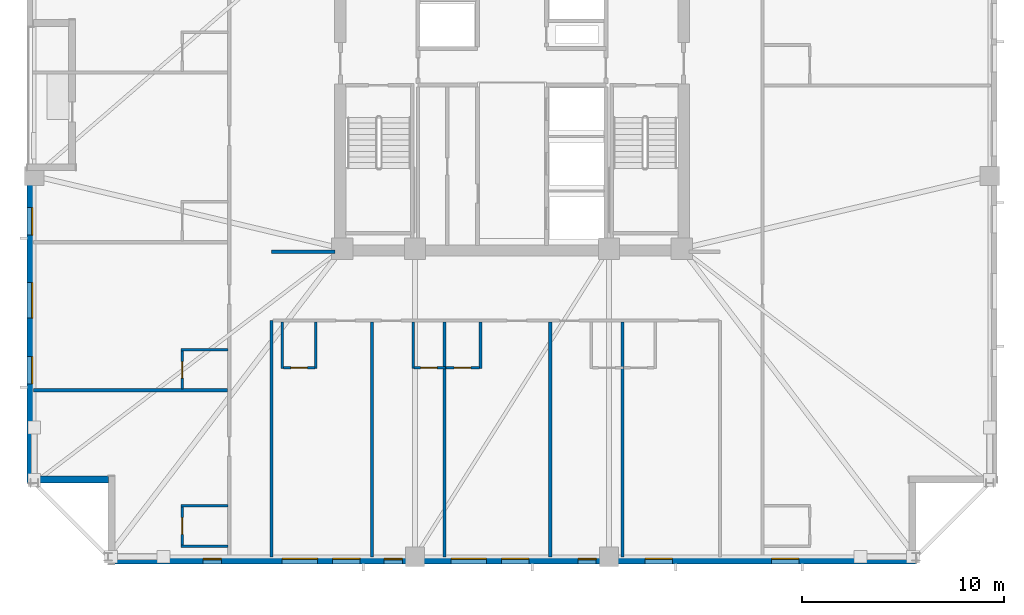
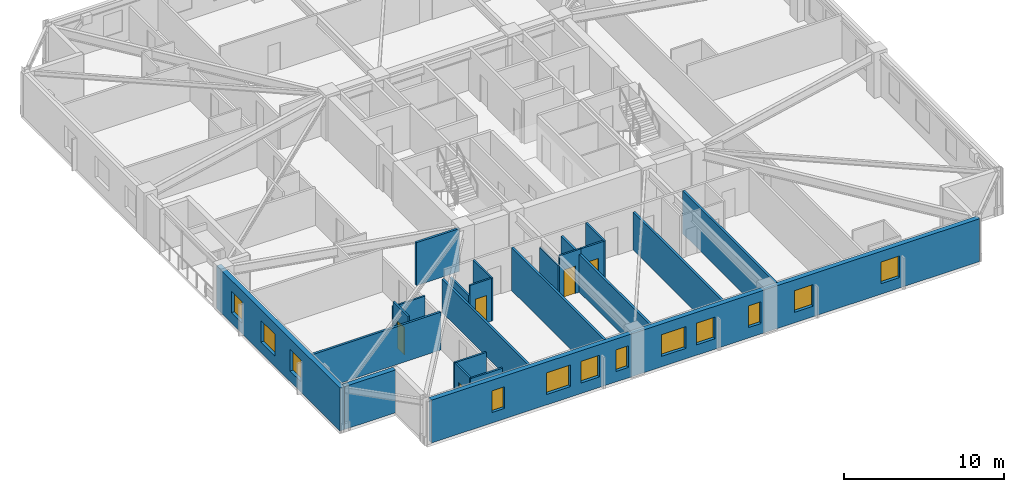
# One storey, part 2 of 11: 22 walls, 12 windows, 5 doors, 17 openings.
"""IFC4 building model written with IfcOpenShell, lengths in metres."""

from ifc_helpers import new_model, si_unit, direction, frame, frame_2d, origin, place, context, subcontext, project, spatial, rectangle, extrude, material, layer, layer_set, type_object, element, fill, save


model = new_model("IFC4")

# Units and contexts
model_context = context("Model", 3, precision=1e-05, world=origin(), true_north=direction((0.0, 1.0)))
body_context = subcontext(model_context, "Body", "Model", "MODEL_VIEW")
ifc_project = project(units=[si_unit("LENGTHUNIT", "METRE"), si_unit("AREAUNIT", "SQUARE_METRE"), si_unit("VOLUMEUNIT", "CUBIC_METRE"), si_unit("PLANEANGLEUNIT", "RADIAN"), si_unit("MASSUNIT", "GRAM", prefix="KILO")], contexts=[model_context])

# Site, building, storey
site_placement = place(None, origin())
site = spatial("IfcSite", under=ifc_project, at=site_placement, CompositionType="ELEMENT")
building_placement = place(site_placement, origin())
building = spatial("IfcBuilding", under=site, at=building_placement, Name="Cairnveth Concourse Tower", CompositionType="ELEMENT")
storey_placement = place(building_placement, frame((0.0, 0.0, 120.0)))
storey = spatial("IfcBuildingStorey", under=building, at=storey_placement, Name="L32", CompositionType="ELEMENT", Elevation=120.0)

# Walls
ifc_material_1 = material(Name="Gypsum Plasterboard Partition", Category="gypsum")
ifc_layer_1 = layer(ifc_material_1, 0.159912109375)
ifc_layer_set_1 = layer_set([ifc_layer_1], Name="Gypsum Plasterboard Partition")
wall_type_1 = type_object("IfcWallType", Name="ACOUSTIC PARTY WALL 180", PredefinedType="PARTITIONING", material=ifc_layer_set_1)
wall_1_placement = place(storey_placement, frame((40.10009765625, 15.324951171875, 0.0), z_axis=(0.0, 0.0, 1.0), x_axis=(0.0, 1.0, 0.0)))
element("IfcWall", 1, at=wall_1_placement, inside=storey, type_object=wall_type_1, Name="Interior Wall IW-L32-037", PredefinedType="PARTITIONING", context=body_context, shape_type="SweptSolid", body=[
    extrude(rectangle(XDim=11.715087890625, YDim=0.159912109375, at=frame_2d((5.857421875, 0.0))), origin(), (0.0, 0.0, 1.0), 2.554931640625),
])
wall_2_placement = place(storey_placement, frame((40.10009765625, 30.449951171875, 0.0), z_axis=(0.0, 0.0, 1.0), x_axis=(1.0, 0.0, 0.0)))
element("IfcWall", 2, at=wall_2_placement, inside=storey, type_object=wall_type_1, Name="Interior Wall IW-L32-039", PredefinedType="PARTITIONING", context=body_context, shape_type="SweptSolid", body=[
    extrude(rectangle(XDim=3.135009765625, YDim=0.159912109375, at=frame_2d((1.5673828125, 0.0))), origin(), (0.0, 0.0, 1.0), 3.280029296875),
])
wall_3_placement = place(storey_placement, frame((45.075439453125, 15.324951171875, 0.0), z_axis=(0.0, 0.0, 1.0), x_axis=(0.0, 1.0, 0.0)))
element("IfcWall", 3, at=wall_3_placement, inside=storey, type_object=wall_type_1, Name="Interior Wall IW-L32-052", PredefinedType="PARTITIONING", context=body_context, shape_type="SweptSolid", body=[
    extrude(rectangle(XDim=11.635009765625, YDim=0.159912109375, at=frame_2d((5.8173828125, 0.0))), origin(), (0.0, 0.0, 1.0), 3.280029296875),
])
for number, where, z_axis, x_axis, name in (
    (4, (48.658447265625, 15.324951171875, 0.0), (0.0, 0.0, 1.0), (0.0, 1.0, 0.0), "Interior Wall IW-L32-055"),
    (5, (53.8916015625, 15.324951171875, 0.0), (0.0, 0.0, 1.0), (0.0, 1.0, 0.0), "Interior Wall IW-L32-058"),
):
    element("IfcWall", number, at=place(storey_placement, frame(where, z_axis=z_axis, x_axis=x_axis)), inside=storey, type_object=wall_type_1, Name=name, PredefinedType="PARTITIONING", context=body_context, shape_type="SweptSolid", body=[
        extrude(rectangle(XDim=11.635009765625, YDim=0.159912109375, at=frame_2d((5.8173828125, 0.0))), origin(), (0.0, 0.0, 1.0), 2.89599609375),
    ])
wall_4_placement = place(storey_placement, frame((57.474609375, 15.324951171875, 0.0), z_axis=(0.0, 0.0, 1.0), x_axis=(0.0, 1.0, 0.0)))
element("IfcWall", 6, at=wall_4_placement, inside=storey, type_object=wall_type_1, Name="Interior Wall IW-L32-061", PredefinedType="PARTITIONING", context=body_context, shape_type="SweptSolid", body=[
    extrude(rectangle(XDim=11.635009765625, YDim=0.159912109375, at=frame_2d((5.8173828125, 0.0))), origin(), (0.0, 0.0, 1.0), 3.280029296875),
])
wall_5_placement = place(storey_placement, frame((28.324951171875, 23.596923828125, 0.0), z_axis=(0.0, 0.0, 1.0), x_axis=(1.0, 0.0, 0.0)))
element("IfcWall", 7, at=wall_5_placement, inside=storey, type_object=wall_type_1, Name="Interior Wall IW-L32-067", PredefinedType="PARTITIONING", context=body_context, shape_type="SweptSolid", body=[
    extrude(rectangle(XDim=9.594970703125, YDim=0.159912109375, at=frame_2d((4.79736328125, 0.0))), origin(), (0.0, 0.0, 1.0), 2.89599609375),
])
ifc_layer_2 = layer(ifc_material_1, 0.1298828125)
ifc_layer_set_2 = layer_set([ifc_layer_2], Name="Gypsum Plasterboard Partition")
wall_type_2 = type_object("IfcWallType", Name="WET AREA PARTITION 140", PredefinedType="PLUMBINGWALL", material=ifc_layer_set_2)
wall_6_placement = place(storey_placement, frame((40.6298828125, 24.659912109375, 0.0), z_axis=(0.0, 0.0, 1.0), x_axis=(0.0, 1.0, 0.0)))
element("IfcWall", 8, at=wall_6_placement, inside=storey, type_object=wall_type_2, Name="Interior Wall IW-L32-049", PredefinedType="PLUMBINGWALL", context=body_context, shape_type="SweptSolid", body=[
    extrude(rectangle(XDim=2.315185546875, YDim=0.1298828125, at=frame_2d((1.15771484375, 0.0))), origin(), (0.0, 0.0, 1.0), 2.554931640625),
])
wall_7_placement = place(storey_placement, frame((42.29443359375, 24.659912109375, 0.0), z_axis=(0.0, 0.0, 1.0), x_axis=(0.0, 1.0, 0.0)))
element("IfcWall", 9, at=wall_7_placement, inside=storey, type_object=wall_type_2, Name="Interior Wall IW-L32-050", PredefinedType="PLUMBINGWALL", context=body_context, shape_type="SweptSolid", body=[
    extrude(rectangle(XDim=2.315185546875, YDim=0.1298828125, at=frame_2d((1.15771484375, 0.0))), origin(), (0.0, 0.0, 1.0), 3.280029296875),
])

# Wall, opening, door
wall_8_placement = place(storey_placement, frame((40.679931640625, 24.7099609375, 0.0), z_axis=(0.0, 0.0, 1.0), x_axis=(1.0, 0.0, 0.0)))
wall_8 = element("IfcWall", 10, at=wall_8_placement, inside=storey, type_object=wall_type_2, Name="Interior Wall IW-L32-051", PredefinedType="PLUMBINGWALL", context=body_context, shape_type="SweptSolid", body=[
    extrude(rectangle(XDim=1.564453125, YDim=0.1298828125, at=frame_2d((0.7822265625, 0.0))), origin(), (0.0, 0.0, 1.0), 3.280029296875),
])
opening_1_placement = place(wall_8_placement, frame((0.372314453125, 0.0, 0.0)))
opening_1 = element("IfcOpeningElement", 11, at=opening_1_placement, cuts=wall_8, Name="Opening ID22", PredefinedType="OPENING", context=body_context, shape_type="SweptSolid", body=[
    extrude(rectangle(XDim=0.820068359375, YDim=2.10009765625, at=frame_2d((0.41015625, 1.050048828125))), frame((0.0, 0.074951171875, 0.0), z_axis=(0.0, -1.0, 0.0), x_axis=(1.0, 0.0, 0.0)), (0.0, 0.0, 1.0), 0.14990234375),
])
ifc_material_2 = material(Name="Solid Core Hardwood Timber Leaf", Category="wood")
door_type = type_object("IfcDoorType", Name="INTERIOR WC DOOR 820X2100", OperationType="NOTDEFINED", PredefinedType="DOOR", material=ifc_material_2)
door_1_placement = place(opening_1_placement, origin())
door_1 = element("IfcDoor", 12, at=door_1_placement, inside=storey, type_object=door_type, Name="En-Suite Door L32-S1", OperationType="SINGLE_SWING_RIGHT", OverallHeight=2.10009765625, OverallWidth=0.820068359375, PredefinedType="DOOR", context=body_context, shape_type="SweptSolid", body=[
    extrude(rectangle(XDim=0.820068359375, YDim=2.10009765625, at=frame_2d((0.41015625, 1.050048828125))), frame((0.0, 0.02490234375, 0.0), z_axis=(0.0, -1.0, 0.0), x_axis=(1.0, 0.0, 0.0)), (0.0, 0.0, 1.0), 0.050048828125),
])
fill(opening_1, door_1)

# Wall
wall_9_placement = place(storey_placement, frame((47.1083984375, 24.659912109375, 0.0), z_axis=(0.0, 0.0, 1.0), x_axis=(0.0, 1.0, 0.0)))
element("IfcWall", 13, at=wall_9_placement, inside=storey, type_object=wall_type_2, Name="Interior Wall IW-L32-053", PredefinedType="PLUMBINGWALL", context=body_context, shape_type="SweptSolid", body=[
    extrude(rectangle(XDim=2.315185546875, YDim=0.1298828125, at=frame_2d((1.15771484375, 0.0))), origin(), (0.0, 0.0, 1.0), 2.554931640625),
])

# Wall, opening, door
wall_10_placement = place(storey_placement, frame((47.158447265625, 24.7099609375, 0.0), z_axis=(0.0, 0.0, 1.0), x_axis=(1.0, 0.0, 0.0)))
wall_10 = element("IfcWall", 14, at=wall_10_placement, inside=storey, type_object=wall_type_2, Name="Interior Wall IW-L32-054", PredefinedType="PLUMBINGWALL", context=body_context, shape_type="SweptSolid", body=[
    extrude(rectangle(XDim=1.550048828125, YDim=0.1298828125, at=frame_2d((0.77490234375, 0.0))), origin(), (0.0, 0.0, 1.0), 3.280029296875),
])
opening_2_placement = place(wall_10_placement, frame((0.31494140625, 0.0, 0.0)))
opening_2 = element("IfcOpeningElement", 15, at=opening_2_placement, cuts=wall_10, Name="Opening ID22", PredefinedType="OPENING", context=body_context, shape_type="SweptSolid", body=[
    extrude(rectangle(XDim=0.820068359375, YDim=2.10009765625, at=frame_2d((0.41015625, 1.050048828125))), frame((0.0, 0.074951171875, 0.0), z_axis=(0.0, -1.0, 0.0), x_axis=(1.0, 0.0, 0.0)), (0.0, 0.0, 1.0), 0.14990234375),
])
door_2_placement = place(opening_2_placement, origin())
door_2 = element("IfcDoor", 16, at=door_2_placement, inside=storey, type_object=door_type, Name="En-Suite Door L32-S2", OperationType="SINGLE_SWING_RIGHT", OverallHeight=2.10009765625, OverallWidth=0.820068359375, PredefinedType="DOOR", context=body_context, shape_type="SweptSolid", body=[
    extrude(rectangle(XDim=0.820068359375, YDim=2.10009765625, at=frame_2d((0.41015625, 1.050048828125))), frame((0.0, 0.02490234375, 0.0), z_axis=(0.0, -1.0, 0.0), x_axis=(1.0, 0.0, 0.0)), (0.0, 0.0, 1.0), 0.050048828125),
])
fill(opening_2, door_2)

# Wall
wall_11_placement = place(storey_placement, frame((50.437744140625, 24.659912109375, 0.0), z_axis=(0.0, 0.0, 1.0), x_axis=(0.0, 1.0, 0.0)))
element("IfcWall", 17, at=wall_11_placement, inside=storey, type_object=wall_type_2, Name="Interior Wall IW-L32-056", PredefinedType="PLUMBINGWALL", context=body_context, shape_type="SweptSolid", body=[
    extrude(rectangle(XDim=2.315185546875, YDim=0.1298828125, at=frame_2d((1.15771484375, 0.0))), origin(), (0.0, 0.0, 1.0), 3.280029296875),
])

# Wall, opening, door
wall_12_placement = place(storey_placement, frame((48.723388671875, 24.7099609375, 0.0), z_axis=(0.0, 0.0, 1.0), x_axis=(1.0, 0.0, 0.0)))
wall_12 = element("IfcWall", 18, at=wall_12_placement, inside=storey, type_object=wall_type_2, Name="Interior Wall IW-L32-057", PredefinedType="PLUMBINGWALL", context=body_context, shape_type="SweptSolid", body=[
    extrude(rectangle(XDim=1.664306640625, YDim=0.1298828125, at=frame_2d((0.83203125, 0.0))), origin(), (0.0, 0.0, 1.0), 3.280029296875),
])
opening_3_placement = place(wall_12_placement, frame((0.41455078125, 0.0, 0.0)))
opening_3 = element("IfcOpeningElement", 19, at=opening_3_placement, cuts=wall_12, Name="Opening ID22", PredefinedType="OPENING", context=body_context, shape_type="SweptSolid", body=[
    extrude(rectangle(XDim=0.820068359375, YDim=2.10009765625, at=frame_2d((0.41015625, 1.050048828125))), frame((0.0, 0.074951171875, 0.0), z_axis=(0.0, -1.0, 0.0), x_axis=(1.0, 0.0, 0.0)), (0.0, 0.0, 1.0), 0.14990234375),
])
door_3_placement = place(opening_3_placement, origin())
door_3 = element("IfcDoor", 20, at=door_3_placement, inside=storey, type_object=door_type, Name="En-Suite Door L32-S3", OperationType="SINGLE_SWING_RIGHT", OverallHeight=2.10009765625, OverallWidth=0.820068359375, PredefinedType="DOOR", context=body_context, shape_type="SweptSolid", body=[
    extrude(rectangle(XDim=0.820068359375, YDim=2.10009765625, at=frame_2d((0.41015625, 1.050048828125))), frame((0.0, 0.02490234375, 0.0), z_axis=(0.0, -1.0, 0.0), x_axis=(1.0, 0.0, 0.0)), (0.0, 0.0, 1.0), 0.050048828125),
])
fill(opening_3, door_3)

# Walls
for number, where, z_axis, x_axis, name in (
    (21, (35.6201171875, 15.8701171875, 0.0), (0.0, 0.0, 1.0), (1.0, 0.0, 0.0), "Interior Wall IW-L32-064"),
    (22, (35.6201171875, 17.8701171875, 0.0), (0.0, 0.0, 1.0), (1.0, 0.0, 0.0), "Interior Wall IW-L32-065"),
):
    element("IfcWall", number, at=place(storey_placement, frame(where, z_axis=z_axis, x_axis=x_axis)), inside=storey, type_object=wall_type_2, Name=name, PredefinedType="PLUMBINGWALL", context=body_context, shape_type="SweptSolid", body=[
        extrude(rectangle(XDim=2.31494140625, YDim=0.1298828125, at=frame_2d((1.157470703125, 0.0))), origin(), (0.0, 0.0, 1.0), 3.280029296875),
    ])

# Wall, opening, door
wall_13_placement = place(storey_placement, frame((35.669921875, 15.919921875, 0.0), z_axis=(0.0, 0.0, 1.0), x_axis=(0.0, 1.0, 0.0)))
wall_13 = element("IfcWall", 23, at=wall_13_placement, inside=storey, type_object=wall_type_2, Name="Interior Wall IW-L32-066", PredefinedType="PLUMBINGWALL", context=body_context, shape_type="SweptSolid", body=[
    extrude(rectangle(XDim=1.900146484375, YDim=0.1298828125, at=frame_2d((0.9501953125, 0.0))), origin(), (0.0, 0.0, 1.0), 3.280029296875),
])
opening_4_placement = place(wall_13_placement, frame((0.5400390625, 0.0, 0.0)))
opening_4 = element("IfcOpeningElement", 24, at=opening_4_placement, cuts=wall_13, Name="Opening ID22", PredefinedType="OPENING", context=body_context, shape_type="SweptSolid", body=[
    extrude(rectangle(XDim=0.820068359375, YDim=2.10009765625, at=frame_2d((0.41015625, 1.050048828125))), frame((0.0, 0.074951171875, 0.0), z_axis=(0.0, -1.0, 0.0), x_axis=(1.0, 0.0, 0.0)), (0.0, 0.0, 1.0), 0.14990234375),
])
door_4_placement = place(opening_4_placement, origin())
door_4 = element("IfcDoor", 25, at=door_4_placement, inside=storey, type_object=door_type, Name="En-Suite Door L32-W1", OperationType="SINGLE_SWING_RIGHT", OverallHeight=2.10009765625, OverallWidth=0.820068359375, PredefinedType="DOOR", context=body_context, shape_type="SweptSolid", body=[
    extrude(rectangle(XDim=0.820068359375, YDim=2.10009765625, at=frame_2d((0.41015625, 1.050048828125))), frame((0.0, 0.02490234375, 0.0), z_axis=(0.0, -1.0, 0.0), x_axis=(1.0, 0.0, 0.0)), (0.0, 0.0, 1.0), 0.050048828125),
])
fill(opening_4, door_4)

# Wall
wall_14_placement = place(storey_placement, frame((35.6201171875, 25.596923828125, 0.0), z_axis=(0.0, 0.0, 1.0), x_axis=(1.0, 0.0, 0.0)))
element("IfcWall", 26, at=wall_14_placement, inside=storey, type_object=wall_type_2, Name="Interior Wall IW-L32-068", PredefinedType="PLUMBINGWALL", context=body_context, shape_type="SweptSolid", body=[
    extrude(rectangle(XDim=2.31494140625, YDim=0.1298828125, at=frame_2d((1.157470703125, 0.0))), origin(), (0.0, 0.0, 1.0), 2.89599609375),
])

# Wall, opening, door
wall_15_placement = place(storey_placement, frame((35.669921875, 23.661865234375, 0.0), z_axis=(0.0, 0.0, 1.0), x_axis=(0.0, 1.0, 0.0)))
wall_15 = element("IfcWall", 27, at=wall_15_placement, inside=storey, type_object=wall_type_2, Name="Interior Wall IW-L32-069", PredefinedType="PLUMBINGWALL", context=body_context, shape_type="SweptSolid", body=[
    extrude(rectangle(XDim=1.885009765625, YDim=0.1298828125, at=frame_2d((0.9423828125, 0.0))), origin(), (0.0, 0.0, 1.0), 3.280029296875),
])
opening_5_placement = place(wall_15_placement, frame((0.52490234375, 0.0, 0.0)))
opening_5 = element("IfcOpeningElement", 28, at=opening_5_placement, cuts=wall_15, Name="Opening ID22", PredefinedType="OPENING", context=body_context, shape_type="SweptSolid", body=[
    extrude(rectangle(XDim=0.820068359375, YDim=2.10009765625, at=frame_2d((0.41015625, 1.050048828125))), frame((0.0, 0.074951171875, 0.0), z_axis=(0.0, -1.0, 0.0), x_axis=(1.0, 0.0, 0.0)), (0.0, 0.0, 1.0), 0.14990234375),
])
door_5_placement = place(opening_5_placement, origin())
door_5 = element("IfcDoor", 29, at=door_5_placement, inside=storey, type_object=door_type, Name="En-Suite Door L32-W2", OperationType="SINGLE_SWING_RIGHT", OverallHeight=2.10009765625, OverallWidth=0.820068359375, PredefinedType="DOOR", context=body_context, shape_type="SweptSolid", body=[
    extrude(rectangle(XDim=0.820068359375, YDim=2.10009765625, at=frame_2d((0.41015625, 1.050048828125))), frame((0.0, 0.02490234375, 0.0), z_axis=(0.0, -1.0, 0.0), x_axis=(1.0, 0.0, 0.0)), (0.0, 0.0, 1.0), 0.050048828125),
])
fill(opening_5, door_5)

# Wall, openings, windows
ifc_material_3 = material(Name="Hawthorn Red-Ochre Fired Clay Brick Masonry", Category="masonry")
ifc_layer_3 = layer(ifc_material_3, 0.340087890625)
ifc_layer_set_3 = layer_set([ifc_layer_3], Name="Hawthorn Red-Ochre Fired Clay Brick Masonry")
wall_type_3 = type_object("IfcWallType", Name="ZONE 2 BRICK PIER SPANDREL WALL 340", PredefinedType="SOLIDWALL", material=ifc_layer_set_3)
wall_16_placement = place(storey_placement, frame((72.0, 15.169921875, 0.0), z_axis=(0.0, 0.0, 1.0), x_axis=(-1.0, 0.0, 0.0)))
wall_16 = element("IfcWall", 30, at=wall_16_placement, inside=storey, type_object=wall_type_3, Name="Exterior Wall EW-L32-S09", PredefinedType="SOLIDWALL", context=body_context, shape_type="SweptSolid", body=[
    extrude(rectangle(XDim=39.681884765625, YDim=0.340087890625, at=frame_2d((19.8408203125, 0.0))), origin(), (0.0, 0.0, 1.0), 3.280029296875),
])
opening_6_placement = place(wall_16_placement, frame((5.8017578125, 0.0, 0.800048828125)))
opening_6 = element("IfcOpeningElement", 31, at=opening_6_placement, cuts=wall_16, Name="Opening W02", PredefinedType="OPENING", context=body_context, shape_type="SweptSolid", body=[
    extrude(rectangle(XDim=1.35009765625, YDim=1.659912109375, at=frame_2d((0.675048828125, 0.830078125))), frame((0.0, 0.179931640625, 0.0), z_axis=(0.0, -1.0, 0.0), x_axis=(1.0, 0.0, 0.0)), (0.0, 0.0, 1.0), 0.360107421875),
])
opening_7_placement = place(wall_16_placement, frame((12.058837890625, 0.0, 0.800048828125)))
opening_7 = element("IfcOpeningElement", 32, at=opening_7_placement, cuts=wall_16, Name="Opening W02", PredefinedType="OPENING", context=body_context, shape_type="SweptSolid", body=[
    extrude(rectangle(XDim=1.35009765625, YDim=1.659912109375, at=frame_2d((0.675048828125, 0.830078125))), frame((0.0, 0.179931640625, 0.0), z_axis=(0.0, -1.0, 0.0), x_axis=(1.0, 0.0, 0.0)), (0.0, 0.0, 1.0), 0.360107421875),
])
opening_8_placement = place(wall_16_placement, frame((19.166015625, 0.0, 0.800048828125)))
opening_8 = element("IfcOpeningElement", 33, at=opening_8_placement, cuts=wall_16, Name="Opening W02", PredefinedType="OPENING", context=body_context, shape_type="SweptSolid", body=[
    extrude(rectangle(XDim=1.35009765625, YDim=1.659912109375, at=frame_2d((0.675048828125, 0.830078125))), frame((0.0, 0.179931640625, 0.0), z_axis=(0.0, -1.0, 0.0), x_axis=(1.0, 0.0, 0.0)), (0.0, 0.0, 1.0), 0.360107421875),
])
opening_9_placement = place(wall_16_placement, frame((21.26953125, 0.0, 0.800048828125)))
opening_9 = element("IfcOpeningElement", 34, at=opening_9_placement, cuts=wall_16, Name="Opening W06", PredefinedType="OPENING", context=body_context, shape_type="SweptSolid", body=[
    extrude(rectangle(XDim=1.75, YDim=1.659912109375, at=frame_2d((0.875, 0.830078125))), frame((0.0, 0.179931640625, 0.0), z_axis=(0.0, -1.0, 0.0), x_axis=(1.0, 0.0, 0.0)), (0.0, 0.0, 1.0), 0.360107421875),
])
opening_10_placement = place(wall_16_placement, frame((27.523193359375, 0.0, 0.800048828125)))
opening_10 = element("IfcOpeningElement", 35, at=opening_10_placement, cuts=wall_16, Name="Opening W02", PredefinedType="OPENING", context=body_context, shape_type="SweptSolid", body=[
    extrude(rectangle(XDim=1.35009765625, YDim=1.659912109375, at=frame_2d((0.675048828125, 0.830078125))), frame((0.0, 0.179931640625, 0.0), z_axis=(0.0, -1.0, 0.0), x_axis=(1.0, 0.0, 0.0)), (0.0, 0.0, 1.0), 0.360107421875),
])
opening_11_placement = place(wall_16_placement, frame((29.626708984375, 0.0, 0.800048828125)))
opening_11 = element("IfcOpeningElement", 36, at=opening_11_placement, cuts=wall_16, Name="Opening W06", PredefinedType="OPENING", context=body_context, shape_type="SweptSolid", body=[
    extrude(rectangle(XDim=1.75, YDim=1.659912109375, at=frame_2d((0.875, 0.830078125))), frame((0.0, 0.179931640625, 0.0), z_axis=(0.0, -1.0, 0.0), x_axis=(1.0, 0.0, 0.0)), (0.0, 0.0, 1.0), 0.360107421875),
])
opening_12_placement = place(wall_16_placement, frame((25.429931640625, 0.0, 0.800048828125)))
opening_12 = element("IfcOpeningElement", 37, at=opening_12_placement, cuts=wall_16, Name="Opening W13", PredefinedType="OPENING", context=body_context, shape_type="SweptSolid", body=[
    extrude(rectangle(XDim=0.89990234375, YDim=1.659912109375, at=frame_2d((0.449951171875, 0.830078125))), frame((0.0, 0.179931640625, 0.0), z_axis=(0.0, -1.0, 0.0), x_axis=(1.0, 0.0, 0.0)), (0.0, 0.0, 1.0), 0.360107421875),
])
opening_13_placement = place(wall_16_placement, frame((15.830078125, 0.0, 0.800048828125)))
opening_13 = element("IfcOpeningElement", 38, at=opening_13_placement, cuts=wall_16, Name="Opening W13", PredefinedType="OPENING", context=body_context, shape_type="SweptSolid", body=[
    extrude(rectangle(XDim=0.89990234375, YDim=1.659912109375, at=frame_2d((0.449951171875, 0.830078125))), frame((0.0, 0.179931640625, 0.0), z_axis=(0.0, -1.0, 0.0), x_axis=(1.0, 0.0, 0.0)), (0.0, 0.0, 1.0), 0.360107421875),
])
opening_14_placement = place(wall_16_placement, frame((34.389892578125, 0.0, 0.800048828125)))
opening_14 = element("IfcOpeningElement", 39, at=opening_14_placement, cuts=wall_16, Name="Opening W13", PredefinedType="OPENING", context=body_context, shape_type="SweptSolid", body=[
    extrude(rectangle(XDim=0.89990234375, YDim=1.659912109375, at=frame_2d((0.449951171875, 0.830078125))), frame((0.0, 0.179931640625, 0.0), z_axis=(0.0, -1.0, 0.0), x_axis=(1.0, 0.0, 0.0)), (0.0, 0.0, 1.0), 0.360107421875),
])
ifc_material_4 = material(Name="Double Glazed Low-E Clear Glass", Category="glass")
window_type_1 = type_object("IfcWindowType", Name="DEEP-SET BEDROOM LANCET WINDOW 900X1750", PartitioningType="DOUBLE_PANEL_VERTICAL", PredefinedType="WINDOW", material=ifc_material_4)
window_1_placement = place(opening_12_placement, origin())
window_1 = element("IfcWindow", 40, at=window_1_placement, inside=storey, type_object=window_type_1, Name="Dwelling Lancet Window L32-DW1", OverallHeight=1.659912109375, OverallWidth=0.89990234375, PartitioningType="SINGLE_PANEL", PredefinedType="WINDOW", context=body_context, shape_type="SweptSolid", body=[
    extrude(rectangle(XDim=0.89990234375, YDim=1.659912109375, at=frame_2d((0.449951171875, 0.830078125))), frame((0.0, -0.0400390625, 0.0), z_axis=(0.0, -1.0, 0.0), x_axis=(1.0, 0.0, 0.0)), (0.0, 0.0, 1.0), 0.06005859375),
])
fill(opening_12, window_1)
window_2_placement = place(opening_13_placement, origin())
window_2 = element("IfcWindow", 41, at=window_2_placement, inside=storey, type_object=window_type_1, Name="Dwelling Lancet Window L32-DW2", OverallHeight=1.659912109375, OverallWidth=0.89990234375, PartitioningType="SINGLE_PANEL", PredefinedType="WINDOW", context=body_context, shape_type="SweptSolid", body=[
    extrude(rectangle(XDim=0.89990234375, YDim=1.659912109375, at=frame_2d((0.449951171875, 0.830078125))), frame((0.0, -0.0400390625, 0.0), z_axis=(0.0, -1.0, 0.0), x_axis=(1.0, 0.0, 0.0)), (0.0, 0.0, 1.0), 0.06005859375),
])
fill(opening_13, window_2)
window_3_placement = place(opening_14_placement, origin())
window_3 = element("IfcWindow", 42, at=window_3_placement, inside=storey, type_object=window_type_1, Name="Dwelling Lancet Window L32-DW3", OverallHeight=1.659912109375, OverallWidth=0.89990234375, PartitioningType="SINGLE_PANEL", PredefinedType="WINDOW", context=body_context, shape_type="SweptSolid", body=[
    extrude(rectangle(XDim=0.89990234375, YDim=1.659912109375, at=frame_2d((0.449951171875, 0.830078125))), frame((0.0, -0.0400390625, 0.0), z_axis=(0.0, -1.0, 0.0), x_axis=(1.0, 0.0, 0.0)), (0.0, 0.0, 1.0), 0.06005859375),
])
fill(opening_14, window_3)
window_type_2 = type_object("IfcWindowType", Name="DEEP-SET GOTHIC LANCET WINDOW 1350X1800", PartitioningType="DOUBLE_PANEL_VERTICAL", PredefinedType="WINDOW", material=ifc_material_4)
window_4_placement = place(opening_6_placement, origin())
window_4 = element("IfcWindow", 43, at=window_4_placement, inside=storey, type_object=window_type_2, Name="Gothic Lancet Window L32-9-1", OverallHeight=1.659912109375, OverallWidth=1.35009765625, PartitioningType="SINGLE_PANEL", PredefinedType="WINDOW", context=body_context, shape_type="SweptSolid", body=[
    extrude(rectangle(XDim=1.35009765625, YDim=1.659912109375, at=frame_2d((0.675048828125, 0.830078125))), frame((0.0, -0.050048828125, 0.0), z_axis=(0.0, -1.0, 0.0), x_axis=(1.0, 0.0, 0.0)), (0.0, 0.0, 1.0), 0.06005859375),
])
fill(opening_6, window_4)
window_5_placement = place(opening_7_placement, origin())
window_5 = element("IfcWindow", 44, at=window_5_placement, inside=storey, type_object=window_type_2, Name="Gothic Lancet Window L32-9-3", OverallHeight=1.659912109375, OverallWidth=1.35009765625, PartitioningType="SINGLE_PANEL", PredefinedType="WINDOW", context=body_context, shape_type="SweptSolid", body=[
    extrude(rectangle(XDim=1.35009765625, YDim=1.659912109375, at=frame_2d((0.675048828125, 0.830078125))), frame((0.0, -0.050048828125, 0.0), z_axis=(0.0, -1.0, 0.0), x_axis=(1.0, 0.0, 0.0)), (0.0, 0.0, 1.0), 0.06005859375),
])
fill(opening_7, window_5)
window_6_placement = place(opening_8_placement, origin())
window_6 = element("IfcWindow", 45, at=window_6_placement, inside=storey, type_object=window_type_2, Name="Gothic Lancet Window L32-9-5", OverallHeight=1.659912109375, OverallWidth=1.35009765625, PartitioningType="SINGLE_PANEL", PredefinedType="WINDOW", context=body_context, shape_type="SweptSolid", body=[
    extrude(rectangle(XDim=1.35009765625, YDim=1.659912109375, at=frame_2d((0.675048828125, 0.830078125))), frame((0.0, -0.050048828125, 0.0), z_axis=(0.0, -1.0, 0.0), x_axis=(1.0, 0.0, 0.0)), (0.0, 0.0, 1.0), 0.06005859375),
])
fill(opening_8, window_6)
window_7_placement = place(opening_10_placement, origin())
window_7 = element("IfcWindow", 46, at=window_7_placement, inside=storey, type_object=window_type_2, Name="Gothic Lancet Window L32-9-7", OverallHeight=1.659912109375, OverallWidth=1.35009765625, PartitioningType="SINGLE_PANEL", PredefinedType="WINDOW", context=body_context, shape_type="SweptSolid", body=[
    extrude(rectangle(XDim=1.35009765625, YDim=1.659912109375, at=frame_2d((0.675048828125, 0.830078125))), frame((0.0, -0.050048828125, 0.0), z_axis=(0.0, -1.0, 0.0), x_axis=(1.0, 0.0, 0.0)), (0.0, 0.0, 1.0), 0.06005859375),
])
fill(opening_10, window_7)
window_type_3 = type_object("IfcWindowType", Name="DEEP-SET HOTEL SUITE WINDOW 1750X1800", PartitioningType="DOUBLE_PANEL_VERTICAL", PredefinedType="WINDOW", material=ifc_material_4)
window_8_placement = place(opening_9_placement, origin())
window_8 = element("IfcWindow", 47, at=window_8_placement, inside=storey, type_object=window_type_3, Name="Gothic Lancet Window L32-9-6", OverallHeight=1.659912109375, OverallWidth=1.75, PartitioningType="SINGLE_PANEL", PredefinedType="WINDOW", context=body_context, shape_type="SweptSolid", body=[
    extrude(rectangle(XDim=1.75, YDim=1.659912109375, at=frame_2d((0.875, 0.830078125))), frame((0.0, -0.050048828125, 0.0), z_axis=(0.0, -1.0, 0.0), x_axis=(1.0, 0.0, 0.0)), (0.0, 0.0, 1.0), 0.06005859375),
])
fill(opening_9, window_8)
window_9_placement = place(opening_11_placement, origin())
window_9 = element("IfcWindow", 48, at=window_9_placement, inside=storey, type_object=window_type_3, Name="Gothic Lancet Window L32-9-8", OverallHeight=1.659912109375, OverallWidth=1.75, PartitioningType="SINGLE_PANEL", PredefinedType="WINDOW", context=body_context, shape_type="SweptSolid", body=[
    extrude(rectangle(XDim=1.75, YDim=1.659912109375, at=frame_2d((0.875, 0.830078125))), frame((0.0, -0.050048828125, 0.0), z_axis=(0.0, -1.0, 0.0), x_axis=(1.0, 0.0, 0.0)), (0.0, 0.0, 1.0), 0.06005859375),
])
fill(opening_11, window_9)

# Wall
wall_17_placement = place(storey_placement, frame((32.02197265625, 19.169921875, 0.0), z_axis=(0.0, 0.0, 1.0), x_axis=(-1.0, 0.0, 0.0)))
element("IfcWall", 49, at=wall_17_placement, inside=storey, type_object=wall_type_3, Name="Exterior Wall EW-L32-S11", PredefinedType="SOLIDWALL", context=body_context, shape_type="SweptSolid", body=[
    extrude(rectangle(XDim=3.703857421875, YDim=0.340087890625, at=frame_2d((1.85205078125, 0.0))), origin(), (0.0, 0.0, 1.0), 3.280029296875),
])

# Wall, openings, windows
wall_18_placement = place(storey_placement, frame((28.169921875, 19.0, 0.0), z_axis=(0.0, 0.0, 1.0), x_axis=(0.0, 1.0, 0.0)))
wall_18 = element("IfcWall", 50, at=wall_18_placement, inside=storey, type_object=wall_type_3, Name="Exterior Wall EW-L32-S12", PredefinedType="SOLIDWALL", context=body_context, shape_type="SweptSolid", body=[
    extrude(rectangle(XDim=15.48193359375, YDim=0.340087890625, at=frame_2d((7.740966796875, 0.0))), origin(), (0.0, 0.0, 1.0), 3.280029296875),
])
opening_15_placement = place(wall_18_placement, frame((4.9052734375, 0.0, 0.800048828125)))
opening_15 = element("IfcOpeningElement", 51, at=opening_15_placement, cuts=wall_18, Name="Opening W02", PredefinedType="OPENING", context=body_context, shape_type="SweptSolid", body=[
    extrude(rectangle(XDim=1.35009765625, YDim=1.659912109375, at=frame_2d((0.675048828125, 0.830078125))), frame((0.0, 0.179931640625, 0.0), z_axis=(0.0, -1.0, 0.0), x_axis=(1.0, 0.0, 0.0)), (0.0, 0.0, 1.0), 0.360107421875),
])
opening_16_placement = place(wall_18_placement, frame((8.166015625, 0.0, 0.800048828125)))
opening_16 = element("IfcOpeningElement", 52, at=opening_16_placement, cuts=wall_18, Name="Opening W06", PredefinedType="OPENING", context=body_context, shape_type="SweptSolid", body=[
    extrude(rectangle(XDim=1.75, YDim=1.659912109375, at=frame_2d((0.875, 0.830078125))), frame((0.0, 0.179931640625, 0.0), z_axis=(0.0, -1.0, 0.0), x_axis=(1.0, 0.0, 0.0)), (0.0, 0.0, 1.0), 0.360107421875),
])
opening_17_placement = place(wall_18_placement, frame((12.276611328125, 0.0, 0.800048828125)))
opening_17 = element("IfcOpeningElement", 53, at=opening_17_placement, cuts=wall_18, Name="Opening W02", PredefinedType="OPENING", context=body_context, shape_type="SweptSolid", body=[
    extrude(rectangle(XDim=1.35009765625, YDim=1.659912109375, at=frame_2d((0.675048828125, 0.830078125))), frame((0.0, 0.179931640625, 0.0), z_axis=(0.0, -1.0, 0.0), x_axis=(1.0, 0.0, 0.0)), (0.0, 0.0, 1.0), 0.360107421875),
])
window_10_placement = place(opening_15_placement, origin())
window_10 = element("IfcWindow", 54, at=window_10_placement, inside=storey, type_object=window_type_2, Name="Gothic Lancet Window L32-12-1", OverallHeight=1.659912109375, OverallWidth=1.35009765625, PartitioningType="SINGLE_PANEL", PredefinedType="WINDOW", context=body_context, shape_type="SweptSolid", body=[
    extrude(rectangle(XDim=1.35009765625, YDim=1.659912109375, at=frame_2d((0.675048828125, 0.830078125))), frame((0.0, -0.050048828125, 0.0), z_axis=(0.0, -1.0, 0.0), x_axis=(1.0, 0.0, 0.0)), (0.0, 0.0, 1.0), 0.06005859375),
])
fill(opening_15, window_10)
window_11_placement = place(opening_17_placement, origin())
window_11 = element("IfcWindow", 55, at=window_11_placement, inside=storey, type_object=window_type_2, Name="Gothic Lancet Window L32-12-3", OverallHeight=1.659912109375, OverallWidth=1.35009765625, PartitioningType="SINGLE_PANEL", PredefinedType="WINDOW", context=body_context, shape_type="SweptSolid", body=[
    extrude(rectangle(XDim=1.35009765625, YDim=1.659912109375, at=frame_2d((0.675048828125, 0.830078125))), frame((0.0, -0.050048828125, 0.0), z_axis=(0.0, -1.0, 0.0), x_axis=(1.0, 0.0, 0.0)), (0.0, 0.0, 1.0), 0.06005859375),
])
fill(opening_17, window_11)
window_12_placement = place(opening_16_placement, origin())
window_12 = element("IfcWindow", 56, at=window_12_placement, inside=storey, type_object=window_type_3, Name="Gothic Lancet Window L32-12-2", OverallHeight=1.659912109375, OverallWidth=1.75, PartitioningType="SINGLE_PANEL", PredefinedType="WINDOW", context=body_context, shape_type="SweptSolid", body=[
    extrude(rectangle(XDim=1.75, YDim=1.659912109375, at=frame_2d((0.875, 0.830078125))), frame((0.0, -0.050048828125, 0.0), z_axis=(0.0, -1.0, 0.0), x_axis=(1.0, 0.0, 0.0)), (0.0, 0.0, 1.0), 0.06005859375),
])
fill(opening_16, window_12)

save(model, "model.ifc")
